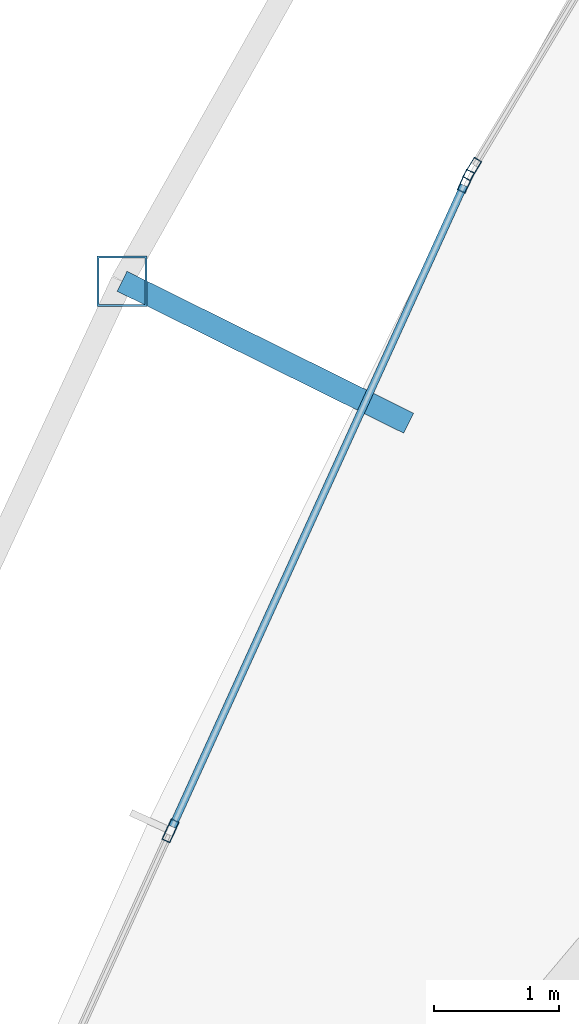
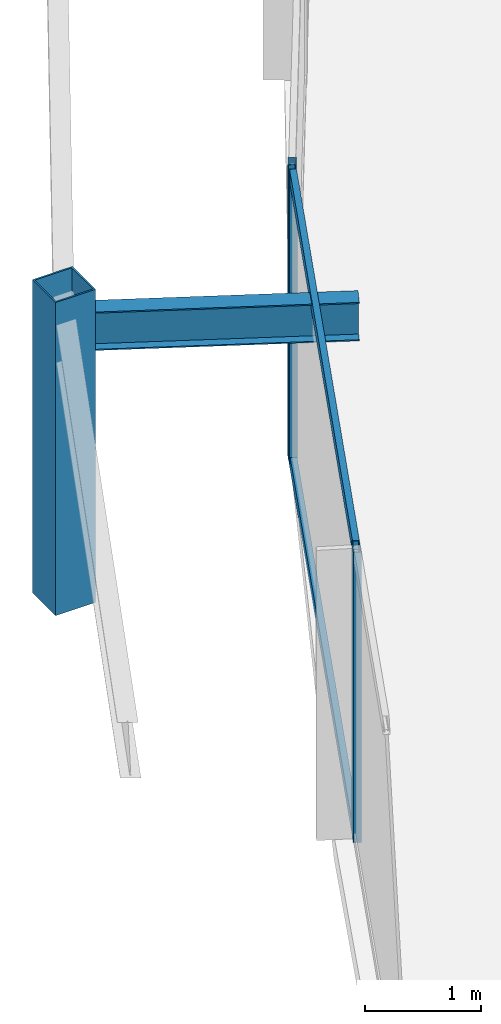
# One storey, part 9 of 31: 6 members, 1 beam, 2 elements without a shape of their own.
"""IFC4 building model written with IfcOpenShell, lengths in metres."""

from ifc_helpers import new_model, si_unit, direction, frame, origin, origin_2d, place, context, subcontext, project, spatial, hollow_rectangle, i_section, extrude, material, layer, layer_set, material_profile, profile_set, type_object, element, aggregate, save


model = new_model("IFC4")

# Units and contexts
model_context = context("Model", 3, precision=1e-05, world=origin(), true_north=direction((0.0, 1.0)))
body_context = subcontext(model_context, "Body", "Model", "MODEL_VIEW")
ifc_project = project(units=[si_unit("LENGTHUNIT", "METRE"), si_unit("AREAUNIT", "SQUARE_METRE"), si_unit("VOLUMEUNIT", "CUBIC_METRE"), si_unit("PLANEANGLEUNIT", "RADIAN"), si_unit("MASSUNIT", "GRAM", prefix="KILO")], contexts=[model_context])

# Site, building, storey
site_placement = place(None, origin())
site = spatial("IfcSite", under=ifc_project, at=site_placement, CompositionType="ELEMENT")
building_placement = place(site_placement, origin())
building = spatial("IfcBuilding", under=site, at=building_placement, Name="Orvanel Arch Residences", CompositionType="ELEMENT")
storey_placement = place(building_placement, frame((0.0, 0.0, 129.800048828125)))
storey = spatial("IfcBuildingStorey", under=building, at=storey_placement, Name="L36", CompositionType="ELEMENT", Elevation=129.800048828125)

# Curtain wall, member
ifc_material_1 = material(Name="Bronze-anodised aluminium AA6063-T6", Category="aluminium")
ifc_layer = layer(ifc_material_1, 0.179931640625)
ifc_layer_set = layer_set([ifc_layer], Name="Bronze-anodised aluminium AA6063-T6")
curtain_wall_type = type_object("IfcCurtainWallType", Name="CW3-MID-SYS", PredefinedType="NOTDEFINED", material=ifc_layer_set)
curtain_wall_1_placement = place(storey_placement, origin())
curtain_wall_1 = element("IfcCurtainWall", 1, at=curtain_wall_1_placement, inside=storey, type_object=curtain_wall_type, Name="L36 CW3-MID-SYS Unitised Curtain Wall", PredefinedType="NOTDEFINED")
ifc_material_profile_1 = material_profile(ifc_material_1, hollow_rectangle(XDim=0.070068359375, YDim=0.179931640625, WallThickness=0.00439453125, at=origin_2d()), Name="ALU180x70x4.5")
ifc_profile_set_1 = profile_set([ifc_material_profile_1], Name="Bronze-anodised aluminium AA6063-T6")
member_type_1 = type_object("IfcMemberType", Name="MUL-180x70", PredefinedType="MULLION", material=ifc_profile_set_1)
member_1_placement = place(storey_placement, frame((14.4189453125, 24.64599609375, 0.0), z_axis=(0.0, 0.0, 1.0), x_axis=(0.857531765451, -0.514431016991, 0.0)))
member_1 = element("IfcMember", 2, at=member_1_placement, type_object=member_type_1, Name="CW-S3 mullion 3", PredefinedType="MULLION", context=body_context, shape_type="SweptSolid", body=[
    extrude(hollow_rectangle(XDim=0.070068359375, YDim=0.179931640625, WallThickness=0.00439453125, at=origin_2d()), origin(), (0.0, 0.0, 1.0), 3.06005859375),
])
aggregate(curtain_wall_1, [member_1])

# Curtain wall, members
curtain_wall_2_placement = place(storey_placement, origin())
curtain_wall_2 = element("IfcCurtainWall", 3, at=curtain_wall_2_placement, inside=storey, type_object=curtain_wall_type, Name="L36 CW3-MID-SYS Unitised Curtain Wall", PredefinedType="NOTDEFINED")
member_2_placement = place(storey_placement, frame((14.368408203125, 24.549072265625, 0.0), z_axis=(0.0, 0.0, 1.0), x_axis=(0.91032458365, -0.413895098306, 0.0)))
member_2 = element("IfcMember", 4, at=member_2_placement, type_object=member_type_1, Name="CW-S3 mullion 1", PredefinedType="MULLION", context=body_context, shape_type="SweptSolid", body=[
    extrude(hollow_rectangle(XDim=0.070068359375, YDim=0.179931640625, WallThickness=0.00439453125, at=origin_2d()), origin(), (0.0, 0.0, 1.0), 3.06005859375),
])
member_3_placement = place(storey_placement, frame((12.014404296875, 19.371337890625, 0.0), z_axis=(0.0, 0.0, 1.0), x_axis=(0.91032458365, -0.413895098306, 0.0)))
member_3 = element("IfcMember", 5, at=member_3_placement, type_object=member_type_1, Name="CW-S3 mullion 2", PredefinedType="MULLION", context=body_context, shape_type="SweptSolid", body=[
    extrude(hollow_rectangle(XDim=0.070068359375, YDim=0.179931640625, WallThickness=0.00439453125, at=origin_2d()), origin(), (0.0, 0.0, 1.0), 3.06005859375),
])

# Beam
ifc_material_2 = material(Name="Structural steel AS/NZS 3679.1 Grade 300 (300 MPa)", Category="steel")
ifc_material_profile_2 = material_profile(ifc_material_2, i_section(OverallWidth=0.177978515625, OverallDepth=0.406005859375, WebThickness=0.0078125, FlangeThickness=0.0126953125, at=origin_2d()), Name="410UB59.7")
ifc_profile_set_2 = profile_set([ifc_material_profile_2], Name="Structural steel AS/NZS 3679.1 Grade 300 (300 MPa)")
beam_type = type_object("IfcBeamType", Name="OB-410UB-EXT", PredefinedType="SPANDREL", material=ifc_profile_set_2)
beam_placement = place(storey_placement, frame((13.9130859375, 22.6201171875, 2.85693359375), z_axis=(-0.896105827705, 0.44384045056, 0.0), x_axis=(-0.44384045056, -0.896105827705, 0.0)))
element("IfcBeam", 6, at=beam_placement, inside=storey, type_object=beam_type, Name="L36 Outer Frame Radial Tie Beam 03", PredefinedType="SPANDREL", context=body_context, shape_type="SweptSolid", body=[
    extrude(i_section(OverallWidth=0.177978515625, OverallDepth=0.406005859375, WebThickness=0.0078125, FlangeThickness=0.0126953125, at=origin_2d()), origin(), (0.0, 0.0, 1.0), 2.550048828125),
])

# Member
ifc_material_3 = material(Name="Structural steel AS/NZS 1163 C450L0 (Grade 450)", Category="steel")
ifc_material_profile_3 = material_profile(ifc_material_3, hollow_rectangle(XDim=0.39990234375, YDim=0.39990234375, WallThickness=0.01611328125, at=origin_2d()), Name="SHS400x400x16")
ifc_profile_set_3 = profile_set([ifc_material_profile_3], Name="Structural steel AS/NZS 1163 C450L0 (Grade 450)")
member_type_2 = type_object("IfcMemberType", Name="ST-400SHS-EXT", PredefinedType="STRUT", material=ifc_profile_set_3)
member_4_placement = place(storey_placement, frame((11.6279296875, 23.751953125, 0.0), z_axis=(0.0, 0.0, 1.0), x_axis=(1.0, 0.0, 0.0)))
element("IfcMember", 7, at=member_4_placement, inside=storey, type_object=member_type_2, Name="L36 Outer Perimeter Frame Post 03", PredefinedType="STRUT", context=body_context, shape_type="SweptSolid", body=[
    extrude(hollow_rectangle(XDim=0.39990234375, YDim=0.39990234375, WallThickness=0.01611328125, at=origin_2d()), origin(), (0.0, 0.0, 1.0), 3.300048828125),
])

ifc_material_profile_4 = material_profile(ifc_material_1, hollow_rectangle(XDim=0.06005859375, YDim=0.135009765625, WallThickness=0.00390625, at=origin_2d()), Name="ALU135x60x4")
ifc_profile_set_4 = profile_set([ifc_material_profile_4], Name="Bronze-anodised aluminium AA6063-T6")
member_type_3 = type_object("IfcMemberType", Name="TRN-135x60", PredefinedType="USERDEFINED", material=ifc_profile_set_4)
member_5_placement = place(storey_placement, frame((14.35400390625, 24.517333984375, 0.030029296875), z_axis=(-0.413881521981, -0.910330756243, 0.0), x_axis=(0.910330756243, -0.413881521981, 0.0)))
member_5 = element("IfcMember", 8, at=member_5_placement, type_object=member_type_3, Name="CW-S3 transom 1.1", ObjectType="TRANSOM", PredefinedType="USERDEFINED", context=body_context, shape_type="SweptSolid", body=[
    extrude(hollow_rectangle(XDim=0.06005859375, YDim=0.135009765625, WallThickness=0.00390625, at=origin_2d()), origin(), (0.0, 0.0, 1.0), 5.617919921875),
])

member_6_placement = place(storey_placement, frame((14.35400390625, 24.517333984375, 3.030029296875), z_axis=(-0.413881521981, -0.910330756243, 0.0), x_axis=(0.910330756243, -0.413881521981, 0.0)))
member_6 = element("IfcMember", 9, at=member_6_placement, type_object=member_type_3, Name="CW-S3 transom 1.2", ObjectType="TRANSOM", PredefinedType="USERDEFINED", context=body_context, shape_type="SweptSolid", body=[
    extrude(hollow_rectangle(XDim=0.06005859375, YDim=0.135009765625, WallThickness=0.00390625, at=origin_2d()), origin(), (0.0, 0.0, 1.0), 5.617919921875),
])

aggregate(curtain_wall_2, [member_2, member_3, member_5, member_6])

save(model, "model.ifc")
